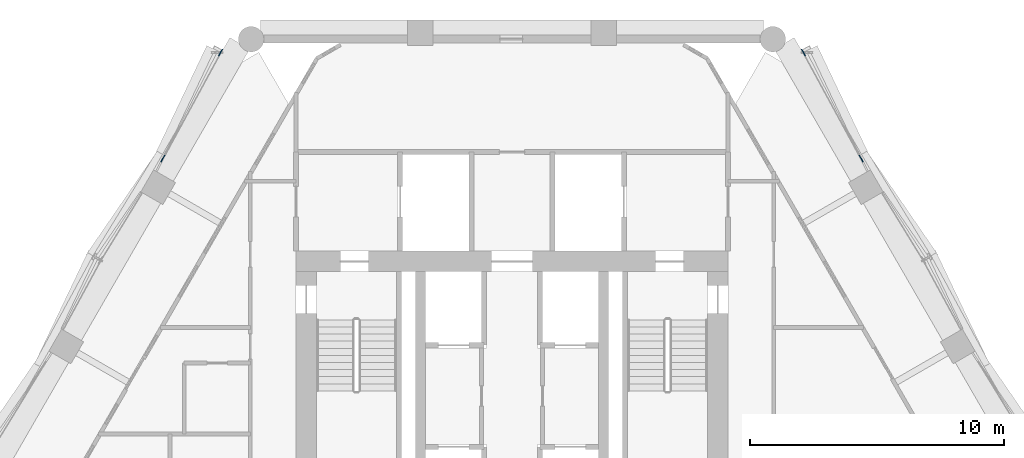
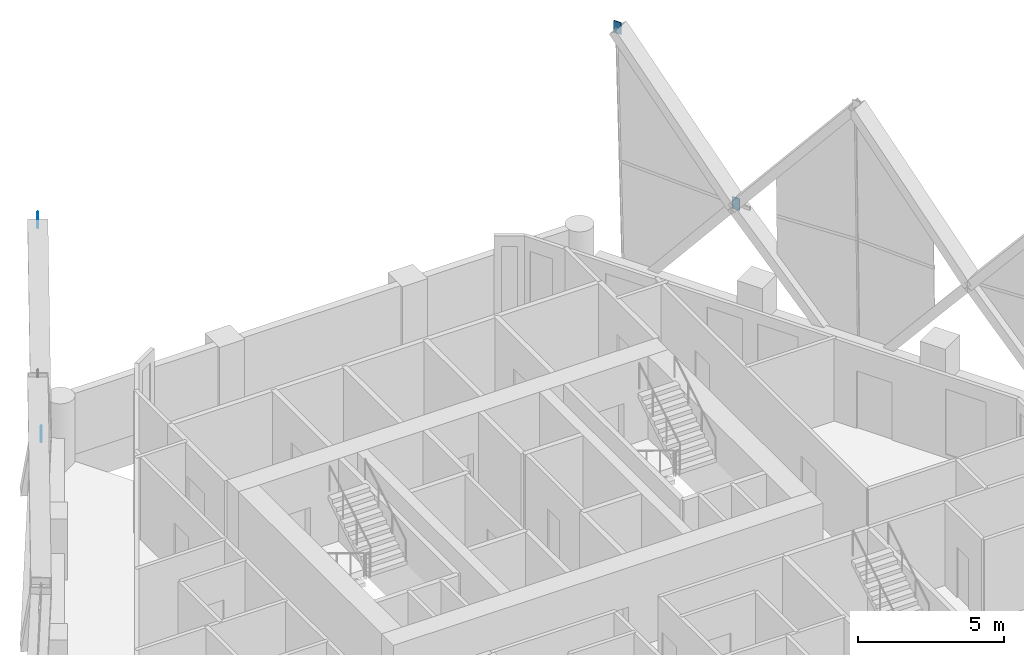
# One storey, part 18 of 19: 4 discrete accessories.
"""IFC4 building model written with IfcOpenShell, lengths in metres."""

from ifc_helpers import new_model, si_unit, direction, frame, origin, origin_2d, place, context, subcontext, project, spatial, rectangle, extrude, material, layer, layer_set, type_object, element, save


model = new_model("IFC4")

# Units and contexts
model_context = context("Model", 3, precision=1e-05, world=origin(), true_north=direction((0.0, 1.0)))
body_context = subcontext(model_context, "Body", "Model", "MODEL_VIEW")
ifc_project = project(units=[si_unit("LENGTHUNIT", "METRE"), si_unit("AREAUNIT", "SQUARE_METRE"), si_unit("VOLUMEUNIT", "CUBIC_METRE"), si_unit("PLANEANGLEUNIT", "RADIAN"), si_unit("MASSUNIT", "GRAM", prefix="KILO")], contexts=[model_context])

# Site, building, storey
site_placement = place(None, origin())
site = spatial("IfcSite", under=ifc_project, at=site_placement, CompositionType="ELEMENT")
building_placement = place(site_placement, origin())
building = spatial("IfcBuilding", under=site, at=building_placement, Name="Ostrander Bayou Hotel Tower", CompositionType="ELEMENT")
storey_placement = place(building_placement, frame((0.0, 0.0, 164.5)))
storey = spatial("IfcBuildingStorey", under=building, at=storey_placement, Name="L40", CompositionType="ELEMENT", Elevation=164.5)

# Discrete accessories
ifc_material = material(Name="Steel ASTM A572 Gr 50", Category="steel")
ifc_layer = layer(ifc_material, 0.030029296875)
ifc_layer_set = layer_set([ifc_layer], Name="GP1 gusset plate 30 mm")
discrete_accessory_type = type_object("IfcDiscreteAccessoryType", Name="GP1 gusset plate 30 mm", PredefinedType="BRACKET", material=ifc_layer_set)
for number, where, z_axis, x_axis, name in (
    (1, (-13.743408203125, 13.341552734375, 4.77490234375), (0.0, 0.0, 1.0), (-0.5, -0.866025403784, 0.0), "GP1 gusset plate lat 251"),
    (2, (-11.47119140625, 17.5185546875, 10.39990234375), (0.0, 0.0, 1.0), (-0.5, -0.866025403784, 0.0), "GP1 gusset plate lat 252"),
    (3, (13.743408203125, 13.341552734375, 4.77490234375), (0.0, 0.0, 1.0), (-0.5, 0.866025403784, 0.0), "GP1 gusset plate lat 274"),
    (4, (11.47119140625, 17.5185546875, 10.39990234375), (0.0, 0.0, 1.0), (-0.5, 0.866025403784, 0.0), "GP1 gusset plate lat 275"),
):
    element("IfcDiscreteAccessory", number, at=place(storey_placement, frame(where, z_axis=z_axis, x_axis=x_axis)), inside=storey, type_object=discrete_accessory_type, Name=name, PredefinedType="BRACKET", context=body_context, shape_type="SweptSolid", body=[
        extrude(rectangle(XDim=0.300048828125, YDim=0.030029296875, at=origin_2d()), origin(), (0.0, 0.0, 1.0), 0.5),
    ])

save(model, "model.ifc")
